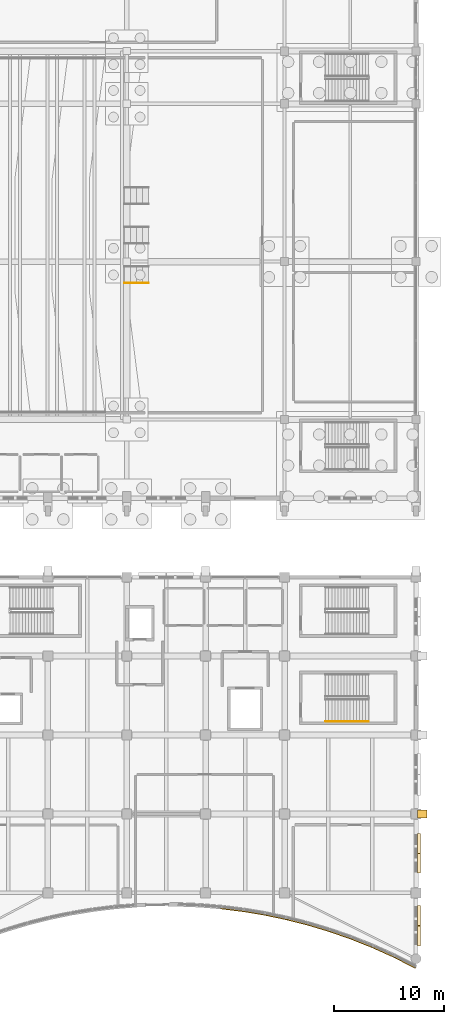
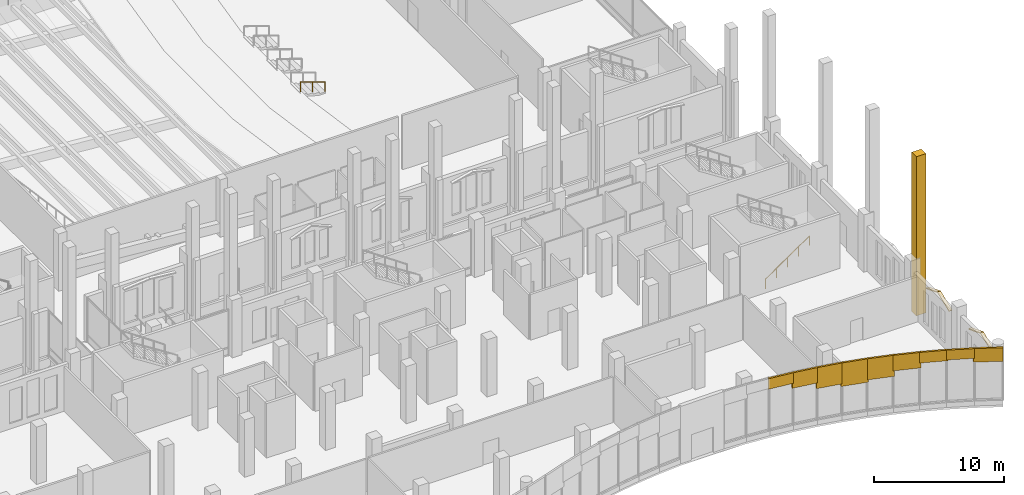
# One storey, part 181 of 192: 14 coverings, 2 railings.
"""IFC4 building model written with IfcOpenShell, lengths in metres."""

from ifc_helpers import new_model, si_unit, direction, frame, origin, origin_2d, place, context, subcontext, project, spatial, polyline, circle, outline, extrude, material, layer, layer_set, type_object, element, save


model = new_model("IFC4")

# Units and contexts
model_context = context("Model", 3, precision=1e-05, world=origin(), true_north=direction((0.0, 1.0)))
body_context = subcontext(model_context, "Body", "Model", "MODEL_VIEW")
ifc_project = project(units=[si_unit("LENGTHUNIT", "METRE"), si_unit("AREAUNIT", "SQUARE_METRE"), si_unit("VOLUMEUNIT", "CUBIC_METRE"), si_unit("PLANEANGLEUNIT", "RADIAN"), si_unit("MASSUNIT", "GRAM", prefix="KILO")], contexts=[model_context])

# Site, building, storey
site_placement = place(None, origin())
site = spatial("IfcSite", under=ifc_project, at=site_placement, CompositionType="ELEMENT")
building_placement = place(site_placement, origin())
building = spatial("IfcBuilding", under=site, at=building_placement, Name="Cendralis Lancet Convention Centre", CompositionType="ELEMENT")
storey_placement = place(building_placement, origin())
storey = spatial("IfcBuildingStorey", under=building, at=storey_placement, Name="L00", CompositionType="ELEMENT", Elevation=0.0)

# Coverings
ifc_material_1 = material(Name="Warm buff sandstone chevron cassette", Category="masonry")
ifc_layer = layer(ifc_material_1, 0.06005859375, Name="Warm buff sandstone chevron cassette")
ifc_layer_set = layer_set([ifc_layer], Name="Warm buff sandstone chevron cassette")
covering_type = type_object("IfcCoveringType", Name="ARC-CV-CLAD1", PredefinedType="CLADDING", material=ifc_layer_set)
covering_1_placement = place(storey_placement, frame((0.0, 0.0, 4.407958984375)))
element("IfcCovering", 1, at=covering_1_placement, inside=storey, type_object=covering_type, Name="South Wave Stone Spandrel Fascia WP-097-WP-098", PredefinedType="CLADDING", context=body_context, shape_type="SweptSolid", body=[
    extrude(outline(polyline([(190.9716796875, 5.73681640625), (193.109375, 5.470703125), (193.129150390625, 5.629638671875), (190.991455078125, 5.8955078125), (190.9716796875, 5.73681640625)])), origin(), (0.0, 0.0, 1.0), 0.991943359375),
])
covering_2_placement = place(storey_placement, frame((0.0, 0.0, 3.955078125)))
element("IfcCovering", 2, at=covering_2_placement, inside=storey, type_object=covering_type, Name="South Wave Stone Spandrel Fascia WP-098-WP-099", PredefinedType="CLADDING", context=body_context, shape_type="SweptSolid", body=[
    extrude(outline(polyline([(192.934326171875, 5.496337890625), (195.07080078125, 5.140380859375), (195.09716796875, 5.298095703125), (192.960693359375, 5.654052734375), (192.934326171875, 5.496337890625)])), origin(), (0.0, 0.0, 1.0), 1.44482421875),
])
covering_3_placement = place(storey_placement, frame((0.0, 0.0, 3.428955078125)))
element("IfcCovering", 3, at=covering_3_placement, inside=storey, type_object=covering_type, Name="South Wave Stone Spandrel Fascia WP-099-WP-100", PredefinedType="CLADDING", context=body_context, shape_type="SweptSolid", body=[
    extrude(outline(polyline([(194.896728515625, 5.173095703125), (197.033203125, 4.72412109375), (197.066162109375, 4.880615234375), (194.9296875, 5.32958984375), (194.896728515625, 5.173095703125)])), origin(), (0.0, 0.0, 1.0), 1.970947265625),
])
covering_4_placement = place(storey_placement, frame((0.0, 0.0, 3.195068359375)))
element("IfcCovering", 4, at=covering_4_placement, inside=storey, type_object=covering_type, Name="South Wave Stone Spandrel Fascia WP-100-WP-101", PredefinedType="CLADDING", context=body_context, shape_type="SweptSolid", body=[
    extrude(outline(polyline([(196.86083984375, 4.76416015625), (198.99462890625, 4.222412109375), (199.033935546875, 4.37744140625), (196.900146484375, 4.919189453125), (196.86083984375, 4.76416015625)])), origin(), (0.0, 0.0, 1.0), 2.204833984375),
])
covering_5_placement = place(storey_placement, frame((0.0, 0.0, 3.4150390625)))
element("IfcCovering", 5, at=covering_5_placement, inside=storey, type_object=covering_type, Name="South Wave Stone Spandrel Fascia WP-101-WP-102", PredefinedType="CLADDING", context=body_context, shape_type="SweptSolid", body=[
    extrude(outline(polyline([(198.82373046875, 4.269775390625), (200.95556640625, 3.628662109375), (201.00146484375, 3.781982421875), (198.86962890625, 4.4228515625), (198.82373046875, 4.269775390625)])), origin(), (0.0, 0.0, 1.0), 1.98486328125),
])
covering_6_placement = place(storey_placement, frame((0.0, 0.0, 3.93798828125)))
element("IfcCovering", 6, at=covering_6_placement, inside=storey, type_object=covering_type, Name="South Wave Stone Spandrel Fascia WP-102-WP-103", PredefinedType="CLADDING", context=body_context, shape_type="SweptSolid", body=[
    extrude(outline(polyline([(200.786865234375, 3.683349609375), (202.91650390625, 2.9423828125), (202.968994140625, 3.09375), (200.83935546875, 3.83447265625), (200.786865234375, 3.683349609375)])), origin(), (0.0, 0.0, 1.0), 1.4619140625),
])
covering_7_placement = place(storey_placement, frame((0.0, 0.0, 4.39892578125)))
element("IfcCovering", 7, at=covering_7_placement, inside=storey, type_object=covering_type, Name="South Wave Stone Spandrel Fascia WP-103-WP-104", PredefinedType="CLADDING", context=body_context, shape_type="SweptSolid", body=[
    extrude(outline(polyline([(202.750244140625, 3.00439453125), (204.878173828125, 2.15869140625), (204.937255859375, 2.307373046875), (202.809326171875, 3.153076171875), (202.750244140625, 3.00439453125)])), origin(), (0.0, 0.0, 1.0), 1.0009765625),
])
covering_8_placement = place(storey_placement, frame((0.0, 0.0, 4.47900390625)))
element("IfcCovering", 8, at=covering_8_placement, inside=storey, type_object=covering_type, Name="South Wave Stone Spandrel Fascia WP-104-WP-105", PredefinedType="CLADDING", context=body_context, shape_type="SweptSolid", body=[
    extrude(outline(polyline([(204.714599609375, 2.227783203125), (206.838623046875, 1.27099609375), (206.904296875, 1.4169921875), (204.780517578125, 2.373779296875), (204.714599609375, 2.227783203125)])), origin(), (0.0, 0.0, 1.0), 0.9208984375),
])
covering_9_placement = place(storey_placement, frame((0.0, 0.0, 4.1220703125)))
element("IfcCovering", 9, at=covering_9_placement, inside=storey, type_object=covering_type, Name="South Wave Stone Spandrel Fascia WP-105-WP-106", PredefinedType="CLADDING", context=body_context, shape_type="SweptSolid", body=[
    extrude(outline(polyline([(206.678466796875, 1.34765625), (208.72314453125, 0.312255859375), (208.79541015625, 0.455078125), (206.750732421875, 1.490478515625), (206.678466796875, 1.34765625)])), origin(), (0.0, 0.0, 1.0), 1.27783203125),
])
for number, where, z_axis, x_axis, name in (
    (10, (209.219970703125, 12.60009765625, 3.52001953125), (0.0, 0.366484572067, 0.930424128254), (-1.0, 0.0, 0.0), "L00 Gothic Pointed Lancet Hood-Mould #0309L"),
    (11, (209.219970703125, 10.7900390625, 4.22509765625), (0.0, -0.366484572067, 0.930424128254), (-1.0, 0.0, 0.0), "L00 Gothic Pointed Lancet Hood-Mould #0310R"),
):
    element("IfcCovering", number, at=place(storey_placement, frame(where, z_axis=z_axis, x_axis=x_axis)), inside=storey, type_object=covering_type, Name=name, PredefinedType="CLADDING", context=body_context, shape_type="SweptSolid", body=[
        extrude(outline(polyline([(0.0, 0.0), (0.284912109375, 0.0), (0.284912109375, 1.923895789181263), (0.0, 1.923895789181263), (0.0, 0.0)])), origin(), (0.0, 0.0, -1.0), 0.090087890625),
    ])
for number, where, z_axis, x_axis, name in (
    (12, (209.219970703125, 6.031982421875, 3.669921875), (0.0, 0.366097873786, 0.93057635195), (-1.0, 0.0, 0.0), "L00 Gothic Pointed Lancet Hood-Mould #0311L"),
    (13, (209.219970703125, 4.181884765625, 4.389892578125), (0.0, -0.366097873786, 0.93057635195), (-1.0, 0.0, 0.0), "L00 Gothic Pointed Lancet Hood-Mould #0312R"),
):
    element("IfcCovering", number, at=place(storey_placement, frame(where, z_axis=z_axis, x_axis=x_axis)), inside=storey, type_object=covering_type, Name=name, PredefinedType="CLADDING", context=body_context, shape_type="SweptSolid", body=[
        extrude(outline(polyline([(0.0, 0.0), (0.284912109375, 0.0), (0.284912109375, 1.9666071689490563), (0.0, 1.9666071689490563), (0.0, 0.0)])), origin(), (0.0, 0.0, -1.0), 0.090087890625),
    ])
covering_10_placement = place(storey_placement, origin())
element("IfcCovering", 14, at=covering_10_placement, inside=storey, type_object=covering_type, Name="Gothic Stepped Stone Buttress Base #0086", PredefinedType="CLADDING", context=body_context, shape_type="SweptSolid", body=[
    extrude(outline(polyline([(209.780029296875, 14.0400390625), (209.780029296875, 14.760009765625), (208.929931640625, 14.760009765625), (208.929931640625, 14.0400390625), (209.780029296875, 14.0400390625)])), origin(), (0.0, 0.0, 1.0), 15.0),
])

# Railings
ifc_material_2 = material(Name="Steel S355", Category="steel")
railing_type_1 = type_object("IfcRailingType", Name="ARC-RL-CHR", PredefinedType="HANDRAIL", material=ifc_material_2)
railing_1_placement = place(storey_placement, frame((200.550048828125, 22.85009765625, 0.179931640625)))
element("IfcRailing", 15, at=railing_1_placement, inside=storey, type_object=railing_type_1, Name="L00 ST-15 stair handrail 1", PredefinedType="HANDRAIL", context=body_context, shape_type="SweptSolid", body=[
    extrude(circle(Radius=0.02392578125, at=origin_2d()), frame((0.0, 0.0, 0.8759765625), z_axis=(0.823550731654, 0.0, 0.567242622158), x_axis=(0.0, 1.0, 0.0)), (0.0, 0.0, 1.0), 4.759765625),
    extrude(circle(Radius=0.02099609375, at=origin_2d()), origin(), (0.0, 0.0, 1.0), 0.851806640625),
    extrude(circle(Radius=0.02099609375, at=origin_2d()), frame((0.97998046875, 0.0, 0.675048828125)), (0.0, 0.0, 1.0), 0.851806640625),
    extrude(circle(Radius=0.02099609375, at=origin_2d()), frame((1.9599609375, 0.0, 1.35009765625)), (0.0, 0.0, 1.0), 0.851806640625),
    extrude(circle(Radius=0.02099609375, at=origin_2d()), frame((2.93994140625, 0.0, 2.02490234375)), (0.0, 0.0, 1.0), 0.851806640625),
    extrude(circle(Radius=0.02099609375, at=origin_2d()), frame((3.919921875, 0.0, 2.699951171875)), (0.0, 0.0, 1.0), 0.851806640625),
])
railing_type_2 = type_object("IfcRailingType", Name="ARC-RL-IH01", PredefinedType="HANDRAIL", material=ifc_material_2)
railing_2_placement = place(storey_placement, frame((184.39990234375, 62.860107421875, 0.14990234375)))
element("IfcRailing", 16, at=railing_2_placement, inside=storey, type_object=railing_type_2, Name="Plenary Stalls Vomitory Gangway Stair VS-01 Handrail R", PredefinedType="HANDRAIL", context=body_context, shape_type="SweptSolid", body=[
    extrude(circle(Radius=0.02392578125, at=origin_2d()), frame((0.0, 0.0, 0.89599609375), z_axis=(-0.946508000853, 0.0, 0.322680343871), x_axis=(0.0, -1.0, 0.0)), (0.0, 0.0, 1.0), 2.32421875),
    extrude(circle(Radius=0.02099609375, at=origin_2d()), origin(), (0.0, 0.0, 1.0), 0.871826171875),
    extrude(circle(Radius=0.02099609375, at=origin_2d()), frame((-1.10009765625, 0.0, 0.375)), (0.0, 0.0, 1.0), 0.871826171875),
    extrude(circle(Radius=0.02099609375, at=origin_2d()), frame((-2.199951171875, 0.0, 0.75)), (0.0, 0.0, 1.0), 0.871826171875),
])

save(model, "model.ifc")
